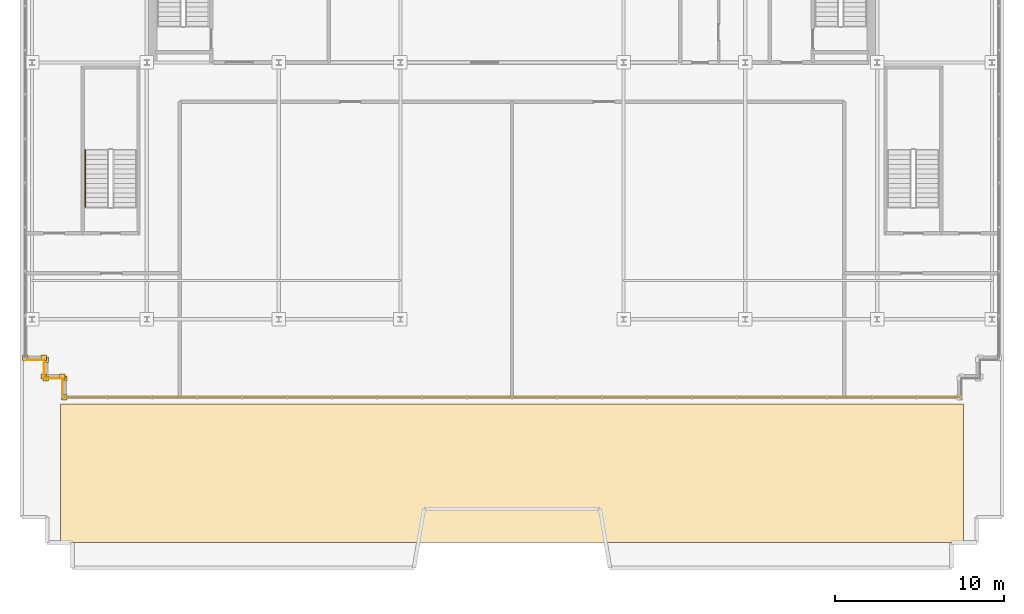
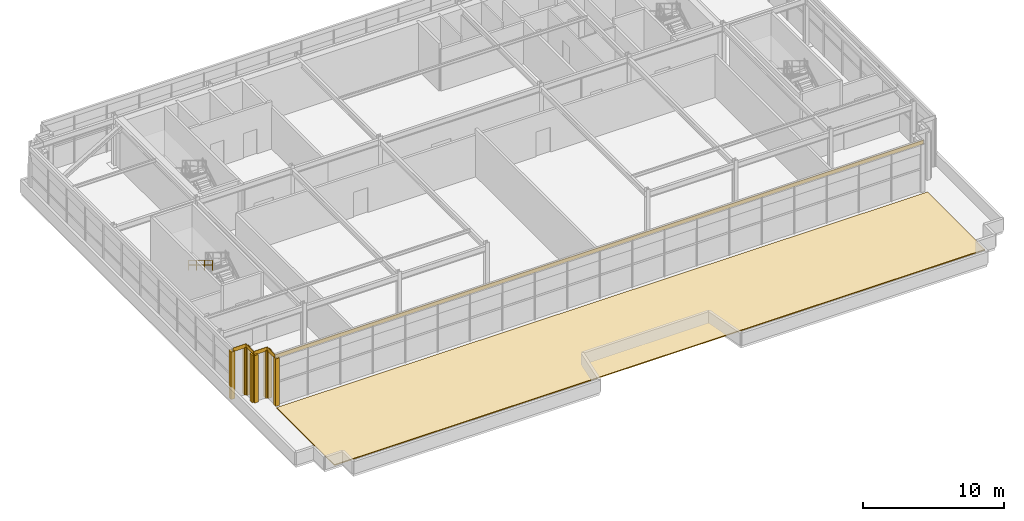
# One storey, part 33 of 38: 14 coverings, 1 railing.
"""IFC4 building model written with IfcOpenShell, lengths in metres."""

from ifc_helpers import new_model, si_unit, direction, frame, origin, origin_2d, place, context, subcontext, project, spatial, polyline, rectangle, outline, extrude, source, transform, mapped, material, layer, layer_set, type_object, element, save


model = new_model("IFC4")

# Units and contexts
model_context = context("Model", 3, precision=1e-05, world=origin(), true_north=direction((0.0, 1.0)))
body_context = subcontext(model_context, "Body", "Model", "MODEL_VIEW")
ifc_project = project(units=[si_unit("LENGTHUNIT", "METRE"), si_unit("AREAUNIT", "SQUARE_METRE"), si_unit("VOLUMEUNIT", "CUBIC_METRE"), si_unit("PLANEANGLEUNIT", "RADIAN"), si_unit("MASSUNIT", "GRAM", prefix="KILO")], contexts=[model_context])

# Site, building, storey
site_placement = place(None, origin())
site = spatial("IfcSite", under=ifc_project, at=site_placement, CompositionType="ELEMENT")
building_placement = place(site_placement, origin())
building = spatial("IfcBuilding", under=site, at=building_placement, Name="Trelvane Seafront Commons", CompositionType="ELEMENT")
storey_placement = place(building_placement, frame((0.0, 0.0, 299.10009765625)))
storey = spatial("IfcBuildingStorey", under=building, at=storey_placement, Name="L78", CompositionType="ELEMENT", Elevation=299.10009765625)

# Covering
ifc_material_1 = material(Name="Polymer-Modified Bitumen Membrane")
ifc_layer_1 = layer(ifc_material_1, 0.080078125, Name="ARCH-COV-ROOF80")
ifc_layer_set_1 = layer_set([ifc_layer_1], Name="Polymer-Modified Bitumen Membrane")
covering_type_1 = type_object("IfcCoveringType", Name="ARCH-COV-ROOF80", PredefinedType="ROOFING", material=ifc_layer_set_1)
covering_1_placement = place(storey_placement, origin())
element("IfcCovering", 1, at=covering_1_placement, inside=storey, type_object=covering_type_1, Name="COV-ROOF-L78-06", PredefinedType="ROOFING", context=body_context, shape_type="SweptSolid", body=[
    extrude(outline(polyline([(10.5, 5.0), (63.89990234375, 5.0), (63.89990234375, 13.199951171875), (10.5, 13.199951171875), (10.5, 5.0)])), origin(), (0.0, 0.0, 1.0), 0.079833984375),
])

# Railing
ifc_material_2 = material(Name="Stainless steel balustrade", Category="steel")
railing_type = type_object("IfcRailingType", Name="ARCH-SRL-HAND", PredefinedType="HANDRAIL", material=ifc_material_2)
railing_placement = place(storey_placement, frame((11.949951171875, 28.2099609375, 2.369140625)))
element("IfcRailing", 2, at=railing_placement, inside=storey, type_object=railing_type, Name="L78 ST-5 stair handrail 2", PredefinedType="HANDRAIL", context=body_context, shape_type="SweptSolid", body=[
    extrude(rectangle(XDim=0.048095703125, YDim=0.048095703125, at=origin_2d()), frame((0.0, 0.0, 0.8759765625), z_axis=(0.0, -0.855820338506, 0.51727318527), x_axis=(1.0, 0.0, 0.0)), (0.0, 0.0, 1.0), 3.92578125),
    extrude(rectangle(XDim=0.048095703125, YDim=0.048095703125, at=origin_2d()), frame((0.0, 0.0, 0.468017578125), z_axis=(0.0, -0.855820338506, 0.51727318527), x_axis=(1.0, 0.0, 0.0)), (0.0, 0.0, 1.0), 3.92578125),
    extrude(rectangle(XDim=0.0419921875, YDim=0.0419921875, at=origin_2d()), origin(), (0.0, 0.0, 1.0), 0.8759765625),
    extrude(rectangle(XDim=0.0419921875, YDim=0.0419921875, at=origin_2d()), frame((0.0, -1.119873046875, 0.677001953125)), (0.0, 0.0, 1.0), 0.8759765625),
    extrude(rectangle(XDim=0.0419921875, YDim=0.0419921875, at=origin_2d()), frame((0.0, -2.239990234375, 1.353759765625)), (0.0, 0.0, 1.0), 0.8759765625),
    extrude(rectangle(XDim=0.0419921875, YDim=0.0419921875, at=origin_2d()), frame((0.0, -3.35986328125, 2.03076171875)), (0.0, 0.0, 1.0), 0.8759765625),
])

# Coverings
ifc_material_3 = material(Name="Anodised pale-silver aluminium", Category="aluminium")
ifc_layer_2 = layer(ifc_material_3, 0.034912109375, Name="ARCH-COV-CLAD35")
ifc_layer_set_2 = layer_set([ifc_layer_2], Name="Anodised pale-silver aluminium")
covering_type_2 = type_object("IfcCoveringType", Name="ARCH-COV-CLAD35", PredefinedType="CLADDING", material=ifc_layer_set_2)
shared_shape_1 = source(origin(), body_context, "Body", "SweptSolid", [
    extrude(rectangle(XDim=0.320068359375, YDim=0.320068359375, at=origin_2d()), origin(), (0.0, 0.0, 1.0), 4.1201171875),
])
for number, where, z_axis, x_axis, name in (
    (3, (10.60009765625, 14.820068359375, -0.000244140625), (0.0, 0.0, 1.0), (1.0, 0.0, 0.0), "CLD-CP-L78-00315"),
    (4, (9.5, 14.820068359375, -0.000244140625), (0.0, 0.0, 1.0), (1.0, 0.0, 0.0), "CLD-CP-L78-00316"),
    (5, (9.6201171875, 14.699951171875, -0.000244140625), (0.0, 0.0, 1.0), (1.0, 0.0, 0.0), "CLD-CP-L78-00318"),
    (6, (9.6201171875, 15.800048828125, -0.000244140625), (0.0, 0.0, 1.0), (1.0, 0.0, 0.0), "CLD-CP-L78-00319"),
    (7, (9.5, 15.919921875, -0.000244140625), (0.0, 0.0, 1.0), (1.0, 0.0, 0.0), "CLD-CP-L78-00321"),
    (8, (8.39990234375, 15.919921875, -0.000244140625), (0.0, 0.0, 1.0), (1.0, 0.0, 0.0), "CLD-CP-L78-00322"),
    (9, (10.719970703125, 13.60009765625, -0.000244140625), (0.0, 0.0, 1.0), (1.0, 0.0, 0.0), "CLD-CP-L78-00364"),
    (10, (10.719970703125, 14.699951171875, -0.000244140625), (0.0, 0.0, 1.0), (1.0, 0.0, 0.0), "CLD-CP-L78-00365"),
):
    element("IfcCovering", number, at=place(storey_placement, frame(where, z_axis=z_axis, x_axis=x_axis)), inside=storey, type_object=covering_type_2, Name=name, PredefinedType="CLADDING", context=body_context, shape_type="MappedRepresentation", body=[
        mapped(shared_shape_1, transform((0.0, 0.0, 0.0), x_axis=(1.0, 0.0, 0.0), y_axis=(0.0, 1.0, 0.0), z_axis=(0.0, 0.0, 1.0), scale=1.0)),
    ])
shared_shape_2 = source(origin(), body_context, "Body", "SweptSolid", [
    extrude(rectangle(XDim=1.10009765625, YDim=0.034912109375, at=origin_2d()), origin(), (0.0, 0.0, 1.0), 0.330078125),
])
for number, where, z_axis, x_axis, name in (
    (11, (10.050048828125, 14.699951171875, 4.06982421875), (0.0, 0.0, 1.0), (-1.0, 0.0, 0.0), "CLD-L78-0317"),
    (12, (9.5, 15.25, 4.06982421875), (0.0, 0.0, 1.0), (0.0, 1.0, 0.0), "CLD-L78-0320"),
    (13, (8.949951171875, 15.800048828125, 4.06982421875), (0.0, 0.0, 1.0), (-1.0, 0.0, 0.0), "CLD-L78-0323"),
    (14, (10.60009765625, 14.14990234375, 4.06982421875), (0.0, 0.0, 1.0), (0.0, 1.0, 0.0), "CLD-L78-0366"),
):
    element("IfcCovering", number, at=place(storey_placement, frame(where, z_axis=z_axis, x_axis=x_axis)), inside=storey, type_object=covering_type_2, Name=name, PredefinedType="CLADDING", context=body_context, shape_type="MappedRepresentation", body=[
        mapped(shared_shape_2, transform((0.0, 0.0, 0.0), x_axis=(1.0, 0.0, 0.0), y_axis=(0.0, 1.0, 0.0), z_axis=(0.0, 0.0, 1.0), scale=1.0)),
    ])
shared_shape_3 = source(origin(), body_context, "Body", "SweptSolid", [
    extrude(rectangle(XDim=53.199951171875, YDim=0.034912109375, at=origin_2d()), origin(), (0.0, 0.0, 1.0), 0.330078125),
])
covering_2_placement = place(storey_placement, frame((37.199951171875, 13.60009765625, 4.06982421875), z_axis=(0.0, 0.0, 1.0), x_axis=(-1.0, 0.0, 0.0)))
element("IfcCovering", 15, at=covering_2_placement, inside=storey, type_object=covering_type_2, Name="CLD-L78-0363", PredefinedType="CLADDING", context=body_context, shape_type="MappedRepresentation", body=[
    mapped(shared_shape_3, transform((0.0, 0.0, 0.0), x_axis=(1.0, 0.0, 0.0), y_axis=(0.0, 1.0, 0.0), z_axis=(0.0, 0.0, 1.0), scale=1.0)),
])

save(model, "model.ifc")
